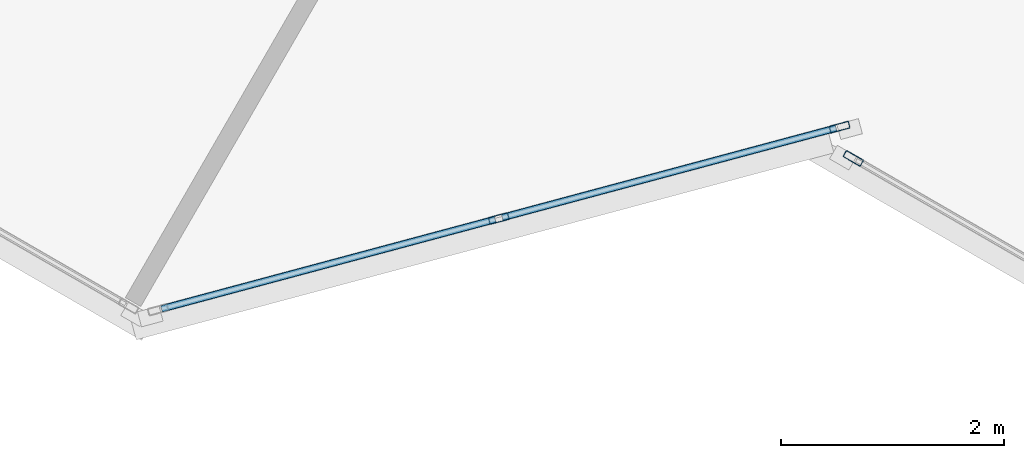
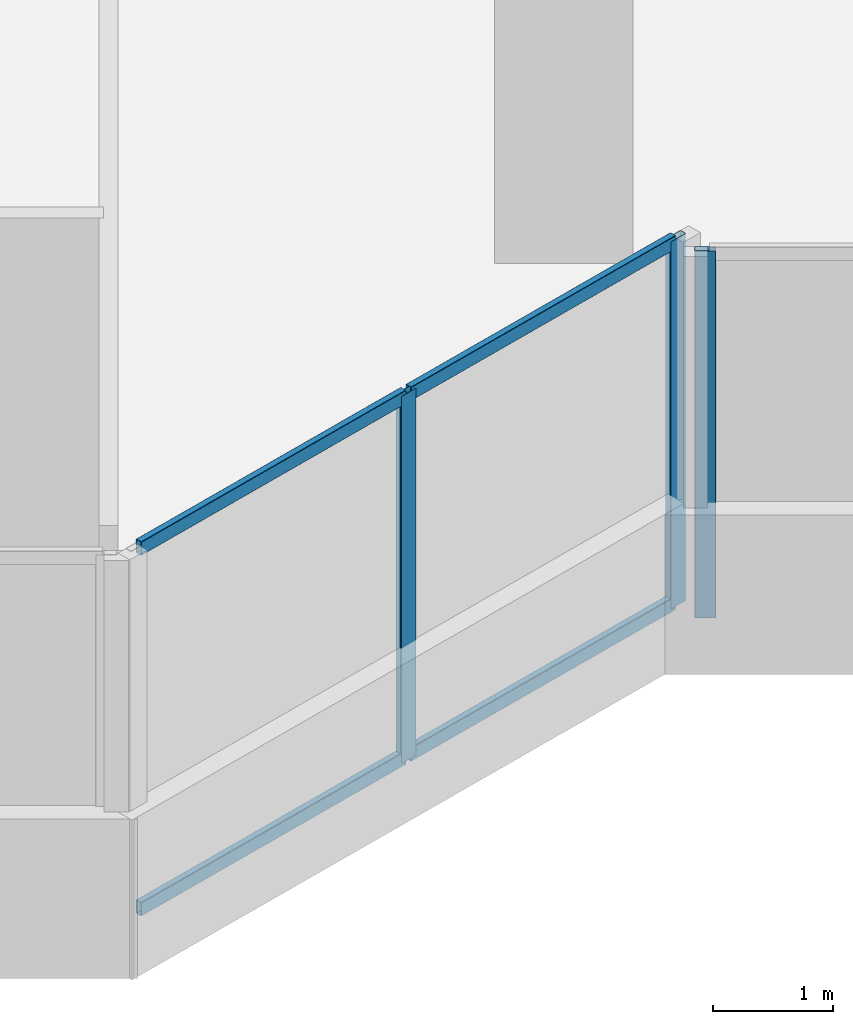
# One storey, part 5 of 21: 7 members, 2 elements without a shape of their own.
"""IFC4 building model written with IfcOpenShell, lengths in metres."""

from ifc_helpers import new_model, si_unit, direction, frame, origin, origin_2d, place, context, subcontext, project, spatial, hollow_rectangle, extrude, source, transform, mapped, material, material_profile, profile_set, type_object, element, aggregate, save


model = new_model("IFC4")

# Units and contexts
model_context = context("Model", 3, precision=1e-05, world=origin(), true_north=direction((0.0, 1.0)))
body_context = subcontext(model_context, "Body", "Model", "MODEL_VIEW")
ifc_project = project(units=[si_unit("LENGTHUNIT", "METRE"), si_unit("AREAUNIT", "SQUARE_METRE"), si_unit("VOLUMEUNIT", "CUBIC_METRE"), si_unit("PLANEANGLEUNIT", "RADIAN"), si_unit("MASSUNIT", "GRAM", prefix="KILO")], contexts=[model_context])

# Site, building, storey
site_placement = place(None, origin())
site = spatial("IfcSite", under=ifc_project, at=site_placement, CompositionType="ELEMENT")
building_placement = place(site_placement, origin())
building = spatial("IfcBuilding", under=site, at=building_placement, Name="Torre Montelarca", CompositionType="ELEMENT")
storey_placement = place(building_placement, frame((0.0, 0.0, 179.199951171875)))
storey = spatial("IfcBuildingStorey", under=building, at=storey_placement, Name="L40", CompositionType="ELEMENT", Elevation=179.199951171875)

# Curtain wall, members
ifc_material_1 = material(Name="Insulated low-E laminated glass", Category="glass")
curtain_wall_type = type_object("IfcCurtainWallType", Name="CW-SYS-Z2", PredefinedType="USERDEFINED", material=ifc_material_1)
curtain_wall_1_placement = place(storey_placement, origin())
curtain_wall_1 = element("IfcCurtainWall", 1, at=curtain_wall_1_placement, inside=storey, type_object=curtain_wall_type, Name="L40 Curtain Wall Run CW-T3-L40-E02-B1", ObjectType="UNITISED GLAZING", PredefinedType="USERDEFINED")
ifc_material_2 = material(Name="Anodised aluminium AA 6063-T6", Category="aluminium")
ifc_material_profile_1 = material_profile(ifc_material_2, hollow_rectangle(XDim=0.06494140625, YDim=0.139892578125, WallThickness=0.00390625, InnerFilletRadius=0.00390625, OuterFilletRadius=0.008056640625, at=origin_2d()), Name="ALU65X140X4", Category="aluminium")
ifc_profile_set_1 = profile_set([ifc_material_profile_1], Name="Anodised aluminium AA 6063-T6")
member_type_1 = type_object("IfcMemberType", Name="CWT-ALU140", PredefinedType="USERDEFINED", material=ifc_profile_set_1)
shared_shape_1 = source(origin(), body_context, "Body", "SweptSolid", [
    extrude(hollow_rectangle(XDim=0.06494140625, YDim=0.139892578125, WallThickness=0.00390625, InnerFilletRadius=0.00390625, OuterFilletRadius=0.008056640625, at=origin_2d()), origin(), (0.0, 0.0, 1.0), 3.102294921875),
])
member_1_placement = place(storey_placement, frame((22.029052734375, 10.9736328125, 0.032470703125), z_axis=(0.965922056381, 0.258833114179, 0.0), x_axis=(-0.258833114179, 0.965922056381, 0.0)))
member_1 = element("IfcMember", 2, at=member_1_placement, type_object=member_type_1, Name="CW transom 1.1", ObjectType="TRANSOM", PredefinedType="USERDEFINED", context=body_context, shape_type="MappedRepresentation", body=[
    mapped(shared_shape_1, transform((0.0, 0.0, 0.0), scale=1.0)),
])
member_2_placement = place(storey_placement, frame((22.029052734375, 10.9736328125, 3.6875), z_axis=(0.965922056381, 0.258833114179, 0.0), x_axis=(-0.258833114179, 0.965922056381, 0.0)))
member_2 = element("IfcMember", 3, at=member_2_placement, type_object=member_type_1, Name="CW transom 1.2", ObjectType="TRANSOM", PredefinedType="USERDEFINED", context=body_context, shape_type="MappedRepresentation", body=[
    mapped(shared_shape_1, transform((0.0, 0.0, 0.0), scale=1.0)),
])
shared_shape_2 = source(origin(), body_context, "Body", "SweptSolid", [
    extrude(hollow_rectangle(XDim=0.06494140625, YDim=0.139892578125, WallThickness=0.00390625, InnerFilletRadius=0.00390625, OuterFilletRadius=0.008056640625, at=origin_2d()), origin(), (0.0, 0.0, 1.0), 3.1025390625),
])
member_3_placement = place(storey_placement, frame((25.08837890625, 11.79345703125, 0.032470703125), z_axis=(0.965927328026, 0.258813440479, 0.0), x_axis=(-0.258813440479, 0.965927328026, 0.0)))
member_3 = element("IfcMember", 4, at=member_3_placement, type_object=member_type_1, Name="CW transom 2.1", ObjectType="TRANSOM", PredefinedType="USERDEFINED", context=body_context, shape_type="MappedRepresentation", body=[
    mapped(shared_shape_2, transform((0.0, 0.0, 0.0), scale=1.0)),
])
member_4_placement = place(storey_placement, frame((25.08837890625, 11.79345703125, 3.6875), z_axis=(0.965927328026, 0.258813440479, 0.0), x_axis=(-0.258813440479, 0.965927328026, 0.0)))
member_4 = element("IfcMember", 5, at=member_4_placement, type_object=member_type_1, Name="CW transom 2.2", ObjectType="TRANSOM", PredefinedType="USERDEFINED", context=body_context, shape_type="MappedRepresentation", body=[
    mapped(shared_shape_2, transform((0.0, 0.0, 0.0), scale=1.0)),
])
ifc_material_profile_2 = material_profile(ifc_material_2, hollow_rectangle(XDim=0.06494140625, YDim=0.179931640625, WallThickness=0.00390625, InnerFilletRadius=0.00390625, OuterFilletRadius=0.008056640625, at=origin_2d()), Name="ALU65X180X4", Category="aluminium")
ifc_profile_set_2 = profile_set([ifc_material_profile_2], Name="Anodised aluminium AA 6063-T6")
member_type_2 = type_object("IfcMemberType", Name="CWM-ALU180", PredefinedType="MULLION", material=ifc_profile_set_2)
shared_shape_3 = source(origin(), body_context, "Body", "SweptSolid", [
    extrude(hollow_rectangle(XDim=0.06494140625, YDim=0.179931640625, WallThickness=0.00390625, InnerFilletRadius=0.00390625, OuterFilletRadius=0.008056640625, at=origin_2d()), origin(), (0.0, 0.0, 1.0), 3.719970703125),
])
member_5_placement = place(storey_placement, frame((25.05712890625, 11.784912109375, 0.0), z_axis=(0.0, 0.0, 1.0), x_axis=(-0.258825645334, 0.965924057738, 0.0)))
member_5 = element("IfcMember", 6, at=member_5_placement, type_object=member_type_2, Name="CW mullion 2", PredefinedType="MULLION", context=body_context, shape_type="MappedRepresentation", body=[
    mapped(shared_shape_3, transform((0.0, 0.0, 0.0), scale=1.0)),
])
member_6_placement = place(storey_placement, frame((28.116455078125, 12.604736328125, 0.0), z_axis=(0.0, 0.0, 1.0), x_axis=(-0.258825645334, 0.965924057738, 0.0)))
member_6 = element("IfcMember", 7, at=member_6_placement, type_object=member_type_2, Name="CW mullion 3", PredefinedType="MULLION", context=body_context, shape_type="MappedRepresentation", body=[
    mapped(shared_shape_3, transform((0.0, 0.0, 0.0), scale=1.0)),
])
aggregate(curtain_wall_1, [member_5, member_6, member_1, member_2, member_3, member_4])

# Curtain wall, member
curtain_wall_2_placement = place(storey_placement, origin())
curtain_wall_2 = element("IfcCurtainWall", 8, at=curtain_wall_2_placement, inside=storey, type_object=curtain_wall_type, Name="L40 Curtain Wall Run CW-T3-L40-E04-B1", ObjectType="UNITISED GLAZING", PredefinedType="USERDEFINED")
member_7_placement = place(storey_placement, frame((28.239501953125, 12.32421875, 0.0), z_axis=(0.0, 0.0, 1.0), x_axis=(0.499995443442, 0.866028034499, 0.0)))
member_7 = element("IfcMember", 9, at=member_7_placement, type_object=member_type_2, Name="CW mullion 1", PredefinedType="MULLION", context=body_context, shape_type="MappedRepresentation", body=[
    mapped(shared_shape_3, transform((0.0, 0.0, 0.0), scale=1.0)),
])
aggregate(curtain_wall_2, [member_7])

save(model, "model.ifc")
